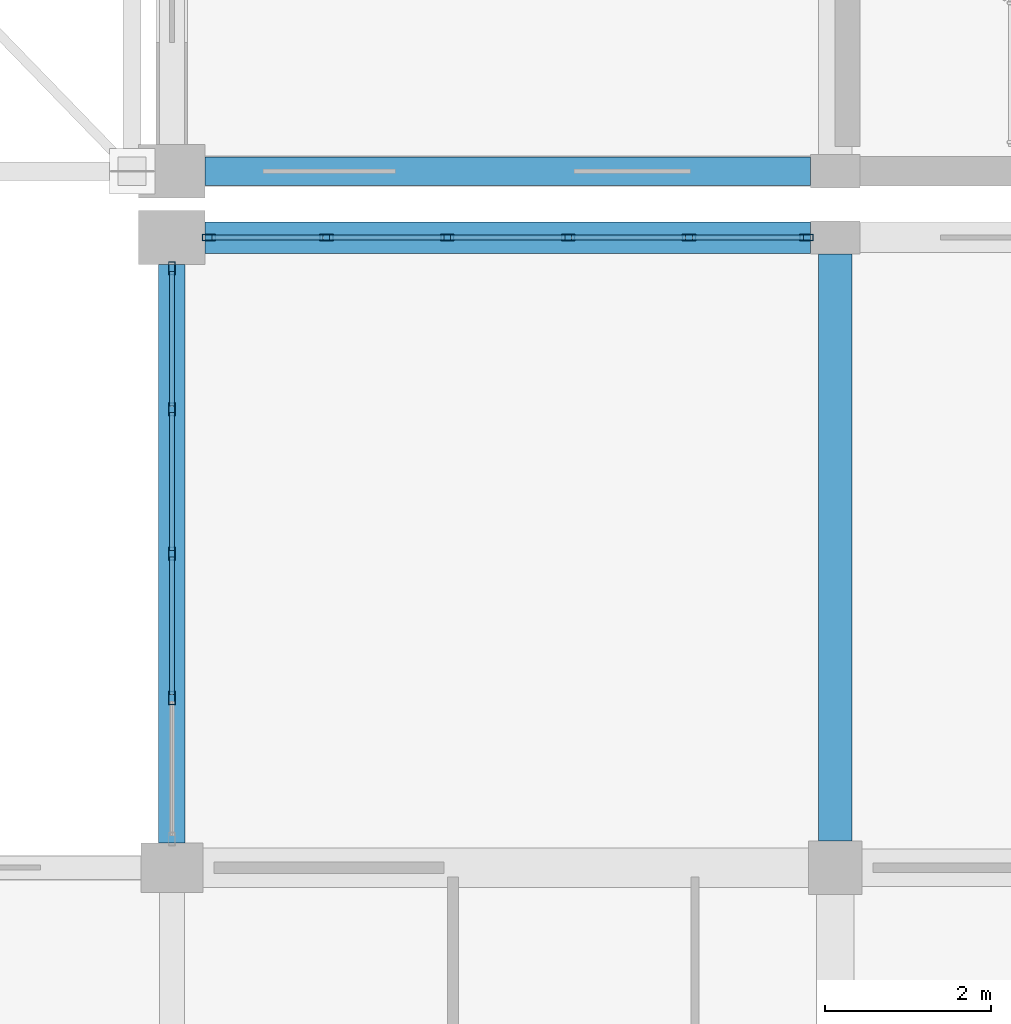
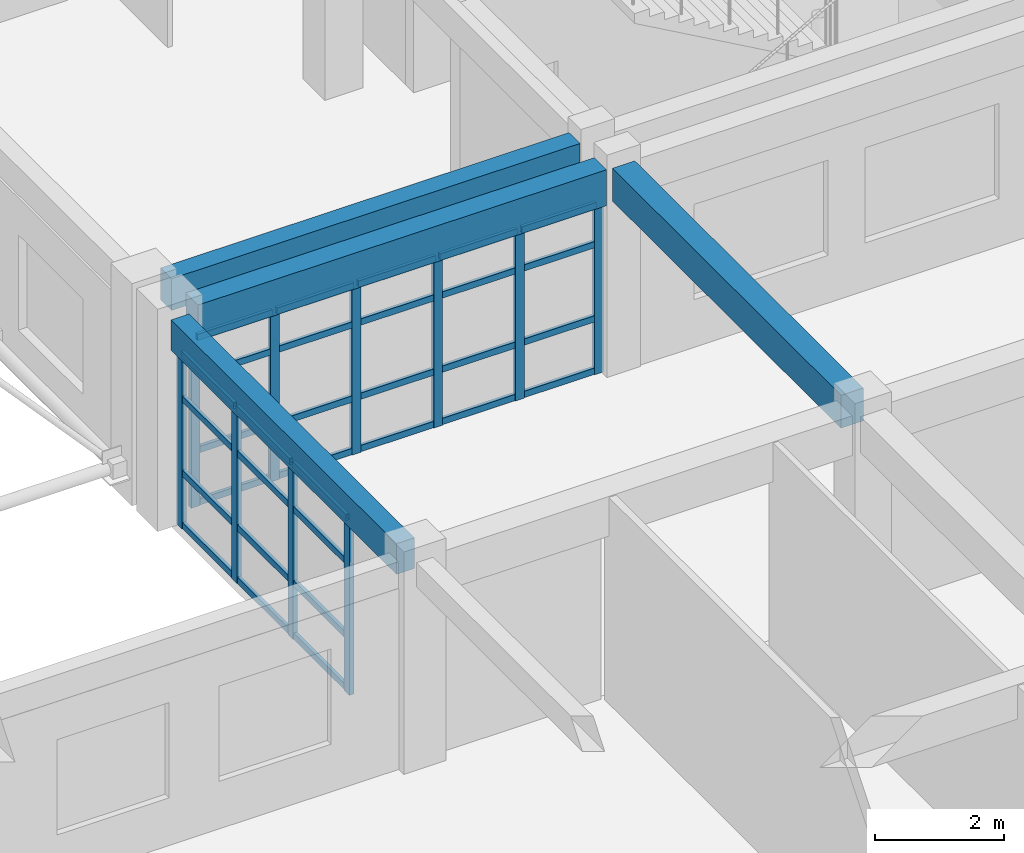
# One storey, part 63 of 195: 42 members, 4 beams, 2 elements without a shape of their own.
"""IFC4 building model written with IfcOpenShell, lengths in metres."""

from ifc_helpers import new_model, si_unit, direction, frame, origin, origin_2d, place, context, subcontext, project, spatial, rectangle, hollow_rectangle, extrude, material, material_profile, profile_set, type_object, element, aggregate, save


model = new_model("IFC4")

# Units and contexts
model_context = context("Model", 3, precision=1e-05, world=origin(), true_north=direction((0.0, 1.0)))
body_context = subcontext(model_context, "Body", "Model", "MODEL_VIEW")
ifc_project = project(units=[si_unit("LENGTHUNIT", "METRE"), si_unit("AREAUNIT", "SQUARE_METRE"), si_unit("VOLUMEUNIT", "CUBIC_METRE"), si_unit("PLANEANGLEUNIT", "RADIAN"), si_unit("MASSUNIT", "GRAM", prefix="KILO")], contexts=[model_context])

# Site, building, storey
site_placement = place(None, origin())
site = spatial("IfcSite", under=ifc_project, at=site_placement, CompositionType="ELEMENT")
building_placement = place(site_placement, origin())
building = spatial("IfcBuilding", under=site, at=building_placement, Name="Kharva Crest Polytechnic", CompositionType="ELEMENT")
storey_placement = place(building_placement, frame((0.0, 0.0, 9.0)))
storey = spatial("IfcBuildingStorey", under=building, at=storey_placement, Name="L02", CompositionType="ELEMENT", Elevation=9.0)

# Beam
ifc_material_1 = material(Name="Concrete C35/45", Category="concrete")
ifc_material_profile_1 = material_profile(ifc_material_1, rectangle(XDim=0.39990234375, YDim=0.6201171875, at=origin_2d()), Name="RECT 400 X 620")
ifc_profile_set_1 = profile_set([ifc_material_profile_1], Name="Concrete C35/45")
beam_type_1 = type_object("IfcBeamType", Name="BM-RC-400X620", PredefinedType="BEAM", material=ifc_profile_set_1)
beam_1_placement = place(storey_placement, frame((40.0, 30.72509765625, 3.610107421875), z_axis=(0.0, 1.0, 0.0), x_axis=(-1.0, 0.0, 0.0)))
element("IfcBeam", 1, at=beam_1_placement, inside=storey, type_object=beam_type_1, Name="L02 Girder 6/E-F", PredefinedType="BEAM", context=body_context, shape_type="SweptSolid", body=[
    extrude(rectangle(XDim=0.39990234375, YDim=0.6201171875, at=origin_2d()), origin(), (0.0, 0.0, 1.0), 7.074951171875),
])

# Curtain wall, members
ifc_material_2 = material(Name="Tempered insulated glass", Category="glass")
curtain_wall_type = type_object("IfcCurtainWallType", Name="CW-SYS-COURT", PredefinedType="USERDEFINED", material=ifc_material_2)
curtain_wall_1_placement = place(storey_placement, origin())
curtain_wall_1 = element("IfcCurtainWall", 2, at=curtain_wall_1_placement, inside=storey, type_object=curtain_wall_type, Name="L02 Glazed Curtain Wall CW-087", ObjectType="CURTAIN WALL", PredefinedType="USERDEFINED")
ifc_material_3 = material(Name="Steel S355", Category="steel")
ifc_material_profile_2 = material_profile(ifc_material_3, hollow_rectangle(XDim=0.080078125, YDim=0.159912109375, WallThickness=0.0048828125, at=origin_2d()), Name="RHS 160X80X5.0")
ifc_profile_set_2 = profile_set([ifc_material_profile_2], Name="Steel S355")
member_type_1 = type_object("IfcMemberType", Name="CWM-RHS160X80", PredefinedType="MULLION", material=ifc_profile_set_2)
member_1_placement = place(storey_placement, frame((39.655029296875, 38.0, 0.0), z_axis=(0.0, 0.0, 1.0), x_axis=(0.0, -1.0, 0.0)))
member_1 = element("IfcMember", 3, at=member_1_placement, type_object=member_type_1, Name="CW-087 mullion 1", PredefinedType="MULLION", context=body_context, shape_type="SweptSolid", body=[
    extrude(hollow_rectangle(XDim=0.080078125, YDim=0.159912109375, WallThickness=0.0048828125, at=origin_2d()), origin(), (0.0, 0.0, 1.0), 3.239990234375),
])
member_2_placement = place(storey_placement, frame((38.237060546875, 38.0, 0.0), z_axis=(0.0, 0.0, 1.0), x_axis=(0.0, -1.0, 0.0)))
member_2 = element("IfcMember", 4, at=member_2_placement, type_object=member_type_1, Name="CW-087 mullion 2", PredefinedType="MULLION", context=body_context, shape_type="SweptSolid", body=[
    extrude(hollow_rectangle(XDim=0.080078125, YDim=0.159912109375, WallThickness=0.0048828125, at=origin_2d()), origin(), (0.0, 0.0, 1.0), 3.239990234375),
])
member_3_placement = place(storey_placement, frame((36.779052734375, 38.0, 0.0), z_axis=(0.0, 0.0, 1.0), x_axis=(0.0, -1.0, 0.0)))
member_3 = element("IfcMember", 5, at=member_3_placement, type_object=member_type_1, Name="CW-087 mullion 3", PredefinedType="MULLION", context=body_context, shape_type="SweptSolid", body=[
    extrude(hollow_rectangle(XDim=0.080078125, YDim=0.159912109375, WallThickness=0.0048828125, at=origin_2d()), origin(), (0.0, 0.0, 1.0), 3.239990234375),
])
member_4_placement = place(storey_placement, frame((35.321044921875, 38.0, 0.0), z_axis=(0.0, 0.0, 1.0), x_axis=(0.0, -1.0, 0.0)))
member_4 = element("IfcMember", 6, at=member_4_placement, type_object=member_type_1, Name="CW-087 mullion 4", PredefinedType="MULLION", context=body_context, shape_type="SweptSolid", body=[
    extrude(hollow_rectangle(XDim=0.080078125, YDim=0.159912109375, WallThickness=0.0048828125, at=origin_2d()), origin(), (0.0, 0.0, 1.0), 3.239990234375),
])
member_5_placement = place(storey_placement, frame((33.863037109375, 38.0, 0.0), z_axis=(0.0, 0.0, 1.0), x_axis=(0.0, -1.0, 0.0)))
member_5 = element("IfcMember", 7, at=member_5_placement, type_object=member_type_1, Name="CW-087 mullion 5", PredefinedType="MULLION", context=body_context, shape_type="SweptSolid", body=[
    extrude(hollow_rectangle(XDim=0.080078125, YDim=0.159912109375, WallThickness=0.0048828125, at=origin_2d()), origin(), (0.0, 0.0, 1.0), 3.239990234375),
])
member_6_placement = place(storey_placement, frame((32.445068359375, 38.0, 0.0), z_axis=(0.0, 0.0, 1.0), x_axis=(0.0, -1.0, 0.0)))
member_6 = element("IfcMember", 8, at=member_6_placement, type_object=member_type_1, Name="CW-087 mullion 6", PredefinedType="MULLION", context=body_context, shape_type="SweptSolid", body=[
    extrude(hollow_rectangle(XDim=0.080078125, YDim=0.159912109375, WallThickness=0.0048828125, at=origin_2d()), origin(), (0.0, 0.0, 1.0), 3.239990234375),
])

curtain_wall_2_placement = place(storey_placement, origin())
curtain_wall_2 = element("IfcCurtainWall", 9, at=curtain_wall_2_placement, inside=storey, type_object=curtain_wall_type, Name="L02 Glazed Curtain Wall CW-088", ObjectType="CURTAIN WALL", PredefinedType="USERDEFINED")
member_7_placement = place(storey_placement, frame((32.0, 37.6298828125, 0.0), z_axis=(0.0, 0.0, 1.0), x_axis=(1.0, 0.0, 0.0)))
member_7 = element("IfcMember", 10, at=member_7_placement, type_object=member_type_1, Name="CW-088 mullion 1", PredefinedType="MULLION", context=body_context, shape_type="SweptSolid", body=[
    extrude(hollow_rectangle(XDim=0.080078125, YDim=0.159912109375, WallThickness=0.0048828125, at=origin_2d()), origin(), (0.0, 0.0, 1.0), 3.340087890625),
])
member_8_placement = place(storey_placement, frame((32.0, 35.9287109375, 0.0), z_axis=(0.0, 0.0, 1.0), x_axis=(1.0, 0.0, 0.0)))
member_8 = element("IfcMember", 11, at=member_8_placement, type_object=member_type_1, Name="CW-088 mullion 2", PredefinedType="MULLION", context=body_context, shape_type="SweptSolid", body=[
    extrude(hollow_rectangle(XDim=0.080078125, YDim=0.159912109375, WallThickness=0.0048828125, at=origin_2d()), origin(), (0.0, 0.0, 1.0), 3.340087890625),
])
member_9_placement = place(storey_placement, frame((32.0, 34.1875, 0.0), z_axis=(0.0, 0.0, 1.0), x_axis=(1.0, 0.0, 0.0)))
member_9 = element("IfcMember", 12, at=member_9_placement, type_object=member_type_1, Name="CW-088 mullion 3", PredefinedType="MULLION", context=body_context, shape_type="SweptSolid", body=[
    extrude(hollow_rectangle(XDim=0.080078125, YDim=0.159912109375, WallThickness=0.0048828125, at=origin_2d()), origin(), (0.0, 0.0, 1.0), 3.340087890625),
])
member_10_placement = place(storey_placement, frame((32.0, 32.4462890625, 0.0), z_axis=(0.0, 0.0, 1.0), x_axis=(1.0, 0.0, 0.0)))
member_10 = element("IfcMember", 13, at=member_10_placement, type_object=member_type_1, Name="CW-088 mullion 4", PredefinedType="MULLION", context=body_context, shape_type="SweptSolid", body=[
    extrude(hollow_rectangle(XDim=0.080078125, YDim=0.159912109375, WallThickness=0.0048828125, at=origin_2d()), origin(), (0.0, 0.0, 1.0), 3.340087890625),
])

# Member
ifc_material_profile_3 = material_profile(ifc_material_3, hollow_rectangle(XDim=0.06005859375, YDim=0.1201171875, WallThickness=0.00390625, at=origin_2d()), Name="RHS 120X60X4.0")
ifc_profile_set_3 = profile_set([ifc_material_profile_3], Name="Steel S355")
member_type_2 = type_object("IfcMemberType", Name="CWT-RHS120X60", PredefinedType="USERDEFINED", material=ifc_profile_set_3)
member_11_placement = place(storey_placement, frame((39.614990234375, 38.0, 0.06005859375), z_axis=(-1.0, 0.0, 0.0), x_axis=(0.0, -1.0, 0.0)))
member_11 = element("IfcMember", 14, at=member_11_placement, type_object=member_type_2, Name="CW-087 transom 1.1", ObjectType="TRANSOM", PredefinedType="USERDEFINED", context=body_context, shape_type="SweptSolid", body=[
    extrude(hollow_rectangle(XDim=0.06005859375, YDim=0.1201171875, WallThickness=0.00390625, at=origin_2d()), origin(), (0.0, 0.0, 1.0), 1.337890625),
])

member_12_placement = place(storey_placement, frame((39.614990234375, 38.0, 1.050048828125), z_axis=(-1.0, 0.0, 0.0), x_axis=(0.0, -1.0, 0.0)))
member_12 = element("IfcMember", 15, at=member_12_placement, type_object=member_type_2, Name="CW-087 transom 1.2", ObjectType="TRANSOM", PredefinedType="USERDEFINED", context=body_context, shape_type="SweptSolid", body=[
    extrude(hollow_rectangle(XDim=0.06005859375, YDim=0.1201171875, WallThickness=0.00390625, at=origin_2d()), origin(), (0.0, 0.0, 1.0), 1.337890625),
])

member_13_placement = place(storey_placement, frame((39.614990234375, 38.0, 2.449951171875), z_axis=(-1.0, 0.0, 0.0), x_axis=(0.0, -1.0, 0.0)))
member_13 = element("IfcMember", 16, at=member_13_placement, type_object=member_type_2, Name="CW-087 transom 1.3", ObjectType="TRANSOM", PredefinedType="USERDEFINED", context=body_context, shape_type="SweptSolid", body=[
    extrude(hollow_rectangle(XDim=0.06005859375, YDim=0.1201171875, WallThickness=0.00390625, at=origin_2d()), origin(), (0.0, 0.0, 1.0), 1.337890625),
])

member_14_placement = place(storey_placement, frame((39.614990234375, 38.0, 3.179931640625), z_axis=(-1.0, 0.0, 0.0), x_axis=(0.0, -1.0, 0.0)))
member_14 = element("IfcMember", 17, at=member_14_placement, type_object=member_type_2, Name="CW-087 transom 1.4", ObjectType="TRANSOM", PredefinedType="USERDEFINED", context=body_context, shape_type="SweptSolid", body=[
    extrude(hollow_rectangle(XDim=0.06005859375, YDim=0.1201171875, WallThickness=0.00390625, at=origin_2d()), origin(), (0.0, 0.0, 1.0), 1.337890625),
])

member_15_placement = place(storey_placement, frame((38.197021484375, 38.0, 0.06005859375), z_axis=(-1.0, 0.0, 0.0), x_axis=(0.0, -1.0, 0.0)))
member_15 = element("IfcMember", 18, at=member_15_placement, type_object=member_type_2, Name="CW-087 transom 2.1", ObjectType="TRANSOM", PredefinedType="USERDEFINED", context=body_context, shape_type="SweptSolid", body=[
    extrude(hollow_rectangle(XDim=0.06005859375, YDim=0.1201171875, WallThickness=0.00390625, at=origin_2d()), origin(), (0.0, 0.0, 1.0), 1.3779296875),
])

member_16_placement = place(storey_placement, frame((38.197021484375, 38.0, 1.050048828125), z_axis=(-1.0, 0.0, 0.0), x_axis=(0.0, -1.0, 0.0)))
member_16 = element("IfcMember", 19, at=member_16_placement, type_object=member_type_2, Name="CW-087 transom 2.2", ObjectType="TRANSOM", PredefinedType="USERDEFINED", context=body_context, shape_type="SweptSolid", body=[
    extrude(hollow_rectangle(XDim=0.06005859375, YDim=0.1201171875, WallThickness=0.00390625, at=origin_2d()), origin(), (0.0, 0.0, 1.0), 1.3779296875),
])

member_17_placement = place(storey_placement, frame((38.197021484375, 38.0, 2.449951171875), z_axis=(-1.0, 0.0, 0.0), x_axis=(0.0, -1.0, 0.0)))
member_17 = element("IfcMember", 20, at=member_17_placement, type_object=member_type_2, Name="CW-087 transom 2.3", ObjectType="TRANSOM", PredefinedType="USERDEFINED", context=body_context, shape_type="SweptSolid", body=[
    extrude(hollow_rectangle(XDim=0.06005859375, YDim=0.1201171875, WallThickness=0.00390625, at=origin_2d()), origin(), (0.0, 0.0, 1.0), 1.3779296875),
])

member_18_placement = place(storey_placement, frame((38.197021484375, 38.0, 3.179931640625), z_axis=(-1.0, 0.0, 0.0), x_axis=(0.0, -1.0, 0.0)))
member_18 = element("IfcMember", 21, at=member_18_placement, type_object=member_type_2, Name="CW-087 transom 2.4", ObjectType="TRANSOM", PredefinedType="USERDEFINED", context=body_context, shape_type="SweptSolid", body=[
    extrude(hollow_rectangle(XDim=0.06005859375, YDim=0.1201171875, WallThickness=0.00390625, at=origin_2d()), origin(), (0.0, 0.0, 1.0), 1.3779296875),
])

member_19_placement = place(storey_placement, frame((36.739013671875, 38.0, 0.06005859375), z_axis=(-1.0, 0.0, 0.0), x_axis=(0.0, -1.0, 0.0)))
member_19 = element("IfcMember", 22, at=member_19_placement, type_object=member_type_2, Name="CW-087 transom 3.1", ObjectType="TRANSOM", PredefinedType="USERDEFINED", context=body_context, shape_type="SweptSolid", body=[
    extrude(hollow_rectangle(XDim=0.06005859375, YDim=0.1201171875, WallThickness=0.00390625, at=origin_2d()), origin(), (0.0, 0.0, 1.0), 1.3779296875),
])

member_20_placement = place(storey_placement, frame((36.739013671875, 38.0, 1.050048828125), z_axis=(-1.0, 0.0, 0.0), x_axis=(0.0, -1.0, 0.0)))
member_20 = element("IfcMember", 23, at=member_20_placement, type_object=member_type_2, Name="CW-087 transom 3.2", ObjectType="TRANSOM", PredefinedType="USERDEFINED", context=body_context, shape_type="SweptSolid", body=[
    extrude(hollow_rectangle(XDim=0.06005859375, YDim=0.1201171875, WallThickness=0.00390625, at=origin_2d()), origin(), (0.0, 0.0, 1.0), 1.3779296875),
])

member_21_placement = place(storey_placement, frame((36.739013671875, 38.0, 2.449951171875), z_axis=(-1.0, 0.0, 0.0), x_axis=(0.0, -1.0, 0.0)))
member_21 = element("IfcMember", 24, at=member_21_placement, type_object=member_type_2, Name="CW-087 transom 3.3", ObjectType="TRANSOM", PredefinedType="USERDEFINED", context=body_context, shape_type="SweptSolid", body=[
    extrude(hollow_rectangle(XDim=0.06005859375, YDim=0.1201171875, WallThickness=0.00390625, at=origin_2d()), origin(), (0.0, 0.0, 1.0), 1.3779296875),
])

member_22_placement = place(storey_placement, frame((36.739013671875, 38.0, 3.179931640625), z_axis=(-1.0, 0.0, 0.0), x_axis=(0.0, -1.0, 0.0)))
member_22 = element("IfcMember", 25, at=member_22_placement, type_object=member_type_2, Name="CW-087 transom 3.4", ObjectType="TRANSOM", PredefinedType="USERDEFINED", context=body_context, shape_type="SweptSolid", body=[
    extrude(hollow_rectangle(XDim=0.06005859375, YDim=0.1201171875, WallThickness=0.00390625, at=origin_2d()), origin(), (0.0, 0.0, 1.0), 1.3779296875),
])

member_23_placement = place(storey_placement, frame((35.281005859375, 38.0, 0.06005859375), z_axis=(-1.0, 0.0, 0.0), x_axis=(0.0, -1.0, 0.0)))
member_23 = element("IfcMember", 26, at=member_23_placement, type_object=member_type_2, Name="CW-087 transom 4.1", ObjectType="TRANSOM", PredefinedType="USERDEFINED", context=body_context, shape_type="SweptSolid", body=[
    extrude(hollow_rectangle(XDim=0.06005859375, YDim=0.1201171875, WallThickness=0.00390625, at=origin_2d()), origin(), (0.0, 0.0, 1.0), 1.3779296875),
])

member_24_placement = place(storey_placement, frame((35.281005859375, 38.0, 1.050048828125), z_axis=(-1.0, 0.0, 0.0), x_axis=(0.0, -1.0, 0.0)))
member_24 = element("IfcMember", 27, at=member_24_placement, type_object=member_type_2, Name="CW-087 transom 4.2", ObjectType="TRANSOM", PredefinedType="USERDEFINED", context=body_context, shape_type="SweptSolid", body=[
    extrude(hollow_rectangle(XDim=0.06005859375, YDim=0.1201171875, WallThickness=0.00390625, at=origin_2d()), origin(), (0.0, 0.0, 1.0), 1.3779296875),
])

member_25_placement = place(storey_placement, frame((35.281005859375, 38.0, 2.449951171875), z_axis=(-1.0, 0.0, 0.0), x_axis=(0.0, -1.0, 0.0)))
member_25 = element("IfcMember", 28, at=member_25_placement, type_object=member_type_2, Name="CW-087 transom 4.3", ObjectType="TRANSOM", PredefinedType="USERDEFINED", context=body_context, shape_type="SweptSolid", body=[
    extrude(hollow_rectangle(XDim=0.06005859375, YDim=0.1201171875, WallThickness=0.00390625, at=origin_2d()), origin(), (0.0, 0.0, 1.0), 1.3779296875),
])

member_26_placement = place(storey_placement, frame((35.281005859375, 38.0, 3.179931640625), z_axis=(-1.0, 0.0, 0.0), x_axis=(0.0, -1.0, 0.0)))
member_26 = element("IfcMember", 29, at=member_26_placement, type_object=member_type_2, Name="CW-087 transom 4.4", ObjectType="TRANSOM", PredefinedType="USERDEFINED", context=body_context, shape_type="SweptSolid", body=[
    extrude(hollow_rectangle(XDim=0.06005859375, YDim=0.1201171875, WallThickness=0.00390625, at=origin_2d()), origin(), (0.0, 0.0, 1.0), 1.3779296875),
])

member_27_placement = place(storey_placement, frame((33.822998046875, 38.0, 0.06005859375), z_axis=(-1.0, 0.0, 0.0), x_axis=(0.0, -1.0, 0.0)))
member_27 = element("IfcMember", 30, at=member_27_placement, type_object=member_type_2, Name="CW-087 transom 5.1", ObjectType="TRANSOM", PredefinedType="USERDEFINED", context=body_context, shape_type="SweptSolid", body=[
    extrude(hollow_rectangle(XDim=0.06005859375, YDim=0.1201171875, WallThickness=0.00390625, at=origin_2d()), origin(), (0.0, 0.0, 1.0), 1.337890625),
])

member_28_placement = place(storey_placement, frame((33.822998046875, 38.0, 1.050048828125), z_axis=(-1.0, 0.0, 0.0), x_axis=(0.0, -1.0, 0.0)))
member_28 = element("IfcMember", 31, at=member_28_placement, type_object=member_type_2, Name="CW-087 transom 5.2", ObjectType="TRANSOM", PredefinedType="USERDEFINED", context=body_context, shape_type="SweptSolid", body=[
    extrude(hollow_rectangle(XDim=0.06005859375, YDim=0.1201171875, WallThickness=0.00390625, at=origin_2d()), origin(), (0.0, 0.0, 1.0), 1.337890625),
])

member_29_placement = place(storey_placement, frame((33.822998046875, 38.0, 2.449951171875), z_axis=(-1.0, 0.0, 0.0), x_axis=(0.0, -1.0, 0.0)))
member_29 = element("IfcMember", 32, at=member_29_placement, type_object=member_type_2, Name="CW-087 transom 5.3", ObjectType="TRANSOM", PredefinedType="USERDEFINED", context=body_context, shape_type="SweptSolid", body=[
    extrude(hollow_rectangle(XDim=0.06005859375, YDim=0.1201171875, WallThickness=0.00390625, at=origin_2d()), origin(), (0.0, 0.0, 1.0), 1.337890625),
])

member_30_placement = place(storey_placement, frame((33.822998046875, 38.0, 3.179931640625), z_axis=(-1.0, 0.0, 0.0), x_axis=(0.0, -1.0, 0.0)))
member_30 = element("IfcMember", 33, at=member_30_placement, type_object=member_type_2, Name="CW-087 transom 5.4", ObjectType="TRANSOM", PredefinedType="USERDEFINED", context=body_context, shape_type="SweptSolid", body=[
    extrude(hollow_rectangle(XDim=0.06005859375, YDim=0.1201171875, WallThickness=0.00390625, at=origin_2d()), origin(), (0.0, 0.0, 1.0), 1.337890625),
])

aggregate(curtain_wall_1, [member_1, member_2, member_3, member_4, member_5, member_6, member_11, member_12, member_13, member_14, member_15, member_16, member_17, member_18, member_19, member_20, member_21, member_22, member_23, member_24, member_25, member_26, member_27, member_28, member_29, member_30])

member_31_placement = place(storey_placement, frame((32.0, 37.590087890625, 0.06005859375), z_axis=(0.0, -1.0, 0.0), x_axis=(1.0, 0.0, 0.0)))
member_31 = element("IfcMember", 34, at=member_31_placement, type_object=member_type_2, Name="CW-088 transom 1.1", ObjectType="TRANSOM", PredefinedType="USERDEFINED", context=body_context, shape_type="SweptSolid", body=[
    extrude(hollow_rectangle(XDim=0.06005859375, YDim=0.1201171875, WallThickness=0.00390625, at=origin_2d()), origin(), (0.0, 0.0, 1.0), 1.621337890625),
])

member_32_placement = place(storey_placement, frame((32.0, 37.590087890625, 1.050048828125), z_axis=(0.0, -1.0, 0.0), x_axis=(1.0, 0.0, 0.0)))
member_32 = element("IfcMember", 35, at=member_32_placement, type_object=member_type_2, Name="CW-088 transom 1.2", ObjectType="TRANSOM", PredefinedType="USERDEFINED", context=body_context, shape_type="SweptSolid", body=[
    extrude(hollow_rectangle(XDim=0.06005859375, YDim=0.1201171875, WallThickness=0.00390625, at=origin_2d()), origin(), (0.0, 0.0, 1.0), 1.621337890625),
])

member_33_placement = place(storey_placement, frame((32.0, 37.590087890625, 2.449951171875), z_axis=(0.0, -1.0, 0.0), x_axis=(1.0, 0.0, 0.0)))
member_33 = element("IfcMember", 36, at=member_33_placement, type_object=member_type_2, Name="CW-088 transom 1.3", ObjectType="TRANSOM", PredefinedType="USERDEFINED", context=body_context, shape_type="SweptSolid", body=[
    extrude(hollow_rectangle(XDim=0.06005859375, YDim=0.1201171875, WallThickness=0.00390625, at=origin_2d()), origin(), (0.0, 0.0, 1.0), 1.621337890625),
])

member_34_placement = place(storey_placement, frame((32.0, 37.590087890625, 3.280029296875), z_axis=(0.0, -1.0, 0.0), x_axis=(1.0, 0.0, 0.0)))
member_34 = element("IfcMember", 37, at=member_34_placement, type_object=member_type_2, Name="CW-088 transom 1.4", ObjectType="TRANSOM", PredefinedType="USERDEFINED", context=body_context, shape_type="SweptSolid", body=[
    extrude(hollow_rectangle(XDim=0.06005859375, YDim=0.1201171875, WallThickness=0.00390625, at=origin_2d()), origin(), (0.0, 0.0, 1.0), 1.621337890625),
])

member_35_placement = place(storey_placement, frame((32.0, 35.888671875, 0.06005859375), z_axis=(0.0, -1.0, 0.0), x_axis=(1.0, 0.0, 0.0)))
member_35 = element("IfcMember", 38, at=member_35_placement, type_object=member_type_2, Name="CW-088 transom 2.1", ObjectType="TRANSOM", PredefinedType="USERDEFINED", context=body_context, shape_type="SweptSolid", body=[
    extrude(hollow_rectangle(XDim=0.06005859375, YDim=0.1201171875, WallThickness=0.00390625, at=origin_2d()), origin(), (0.0, 0.0, 1.0), 1.6611328125),
])

member_36_placement = place(storey_placement, frame((32.0, 35.888671875, 1.050048828125), z_axis=(0.0, -1.0, 0.0), x_axis=(1.0, 0.0, 0.0)))
member_36 = element("IfcMember", 39, at=member_36_placement, type_object=member_type_2, Name="CW-088 transom 2.2", ObjectType="TRANSOM", PredefinedType="USERDEFINED", context=body_context, shape_type="SweptSolid", body=[
    extrude(hollow_rectangle(XDim=0.06005859375, YDim=0.1201171875, WallThickness=0.00390625, at=origin_2d()), origin(), (0.0, 0.0, 1.0), 1.6611328125),
])

member_37_placement = place(storey_placement, frame((32.0, 35.888671875, 2.449951171875), z_axis=(0.0, -1.0, 0.0), x_axis=(1.0, 0.0, 0.0)))
member_37 = element("IfcMember", 40, at=member_37_placement, type_object=member_type_2, Name="CW-088 transom 2.3", ObjectType="TRANSOM", PredefinedType="USERDEFINED", context=body_context, shape_type="SweptSolid", body=[
    extrude(hollow_rectangle(XDim=0.06005859375, YDim=0.1201171875, WallThickness=0.00390625, at=origin_2d()), origin(), (0.0, 0.0, 1.0), 1.6611328125),
])

member_38_placement = place(storey_placement, frame((32.0, 35.888671875, 3.280029296875), z_axis=(0.0, -1.0, 0.0), x_axis=(1.0, 0.0, 0.0)))
member_38 = element("IfcMember", 41, at=member_38_placement, type_object=member_type_2, Name="CW-088 transom 2.4", ObjectType="TRANSOM", PredefinedType="USERDEFINED", context=body_context, shape_type="SweptSolid", body=[
    extrude(hollow_rectangle(XDim=0.06005859375, YDim=0.1201171875, WallThickness=0.00390625, at=origin_2d()), origin(), (0.0, 0.0, 1.0), 1.6611328125),
])

member_39_placement = place(storey_placement, frame((32.0, 34.1474609375, 0.06005859375), z_axis=(0.0, -1.0, 0.0), x_axis=(1.0, 0.0, 0.0)))
member_39 = element("IfcMember", 42, at=member_39_placement, type_object=member_type_2, Name="CW-088 transom 3.1", ObjectType="TRANSOM", PredefinedType="USERDEFINED", context=body_context, shape_type="SweptSolid", body=[
    extrude(hollow_rectangle(XDim=0.06005859375, YDim=0.1201171875, WallThickness=0.00390625, at=origin_2d()), origin(), (0.0, 0.0, 1.0), 1.6611328125),
])

member_40_placement = place(storey_placement, frame((32.0, 34.1474609375, 1.050048828125), z_axis=(0.0, -1.0, 0.0), x_axis=(1.0, 0.0, 0.0)))
member_40 = element("IfcMember", 43, at=member_40_placement, type_object=member_type_2, Name="CW-088 transom 3.2", ObjectType="TRANSOM", PredefinedType="USERDEFINED", context=body_context, shape_type="SweptSolid", body=[
    extrude(hollow_rectangle(XDim=0.06005859375, YDim=0.1201171875, WallThickness=0.00390625, at=origin_2d()), origin(), (0.0, 0.0, 1.0), 1.6611328125),
])

member_41_placement = place(storey_placement, frame((32.0, 34.1474609375, 2.449951171875), z_axis=(0.0, -1.0, 0.0), x_axis=(1.0, 0.0, 0.0)))
member_41 = element("IfcMember", 44, at=member_41_placement, type_object=member_type_2, Name="CW-088 transom 3.3", ObjectType="TRANSOM", PredefinedType="USERDEFINED", context=body_context, shape_type="SweptSolid", body=[
    extrude(hollow_rectangle(XDim=0.06005859375, YDim=0.1201171875, WallThickness=0.00390625, at=origin_2d()), origin(), (0.0, 0.0, 1.0), 1.6611328125),
])

member_42_placement = place(storey_placement, frame((32.0, 34.1474609375, 3.280029296875), z_axis=(0.0, -1.0, 0.0), x_axis=(1.0, 0.0, 0.0)))
member_42 = element("IfcMember", 45, at=member_42_placement, type_object=member_type_2, Name="CW-088 transom 3.4", ObjectType="TRANSOM", PredefinedType="USERDEFINED", context=body_context, shape_type="SweptSolid", body=[
    extrude(hollow_rectangle(XDim=0.06005859375, YDim=0.1201171875, WallThickness=0.00390625, at=origin_2d()), origin(), (0.0, 0.0, 1.0), 1.6611328125),
])

aggregate(curtain_wall_2, [member_7, member_8, member_9, member_10, member_31, member_32, member_33, member_34, member_35, member_36, member_37, member_38, member_39, member_40, member_41, member_42])

# Beams
ifc_material_profile_4 = material_profile(ifc_material_1, rectangle(XDim=0.320068359375, YDim=0.580078125, at=origin_2d()), Name="RECT 320 X 580")
ifc_profile_set_4 = profile_set([ifc_material_profile_4], Name="Concrete C35/45")
beam_type_2 = type_object("IfcBeamType", Name="SP-RC-320X580", PredefinedType="SPANDREL", material=ifc_profile_set_4)
beam_2_placement = place(storey_placement, frame((32.0, 30.699951171875, 3.6298828125), z_axis=(0.0, 1.0, 0.0), x_axis=(-1.0, 0.0, 0.0)))
element("IfcBeam", 46, at=beam_2_placement, inside=storey, type_object=beam_type_2, Name="L02 Girder 5/E-F", PredefinedType="SPANDREL", context=body_context, shape_type="SweptSolid", body=[
    extrude(rectangle(XDim=0.320068359375, YDim=0.580078125, at=origin_2d()), origin(), (0.0, 0.0, 1.0), 6.97509765625),
])
ifc_material_profile_5 = material_profile(ifc_material_1, rectangle(XDim=0.340087890625, YDim=0.60009765625, at=origin_2d()), Name="RECT 340 X 600")
ifc_profile_set_5 = profile_set([ifc_material_profile_5], Name="Concrete C35/45")
beam_type_3 = type_object("IfcBeamType", Name="SP-RC-340X600", PredefinedType="SPANDREL", material=ifc_profile_set_5)
beam_3_placement = place(storey_placement, frame((32.39990234375, 38.800048828125, 3.6201171875), z_axis=(1.0, 0.0, 0.0), x_axis=(0.0, 1.0, 0.0)))
element("IfcBeam", 47, at=beam_3_placement, inside=storey, type_object=beam_type_3, Name="L02 Beam FJ/5-6", PredefinedType="SPANDREL", context=body_context, shape_type="SweptSolid", body=[
    extrude(rectangle(XDim=0.340087890625, YDim=0.60009765625, at=origin_2d()), origin(), (0.0, 0.0, 1.0), 7.300048828125),
])
ifc_material_profile_6 = material_profile(ifc_material_1, rectangle(XDim=0.3798828125, YDim=0.679931640625, at=origin_2d()), Name="RECT 380 X 680")
ifc_profile_set_6 = profile_set([ifc_material_profile_6], Name="Concrete C35/45")
beam_type_4 = type_object("IfcBeamType", Name="SP-RC-380X680", PredefinedType="SPANDREL", material=ifc_profile_set_6)
beam_4_placement = place(storey_placement, frame((32.39990234375, 38.0, 3.580078125), z_axis=(1.0, 0.0, 0.0), x_axis=(0.0, 1.0, 0.0)))
element("IfcBeam", 48, at=beam_4_placement, inside=storey, type_object=beam_type_4, Name="L02 Beam F/5-6", PredefinedType="SPANDREL", context=body_context, shape_type="SweptSolid", body=[
    extrude(rectangle(XDim=0.3798828125, YDim=0.679931640625, at=origin_2d()), origin(), (0.0, 0.0, 1.0), 7.300048828125),
])

save(model, "model.ifc")
